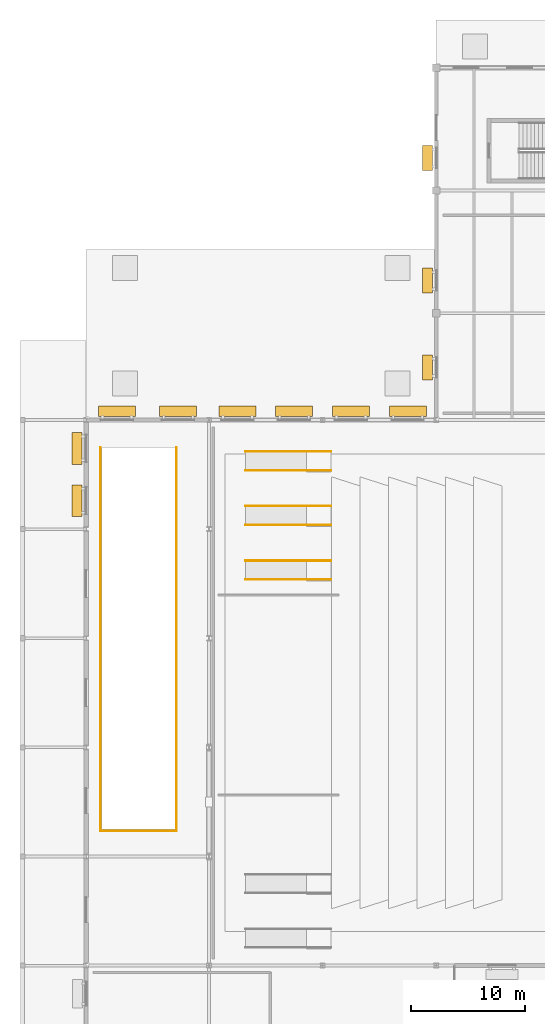
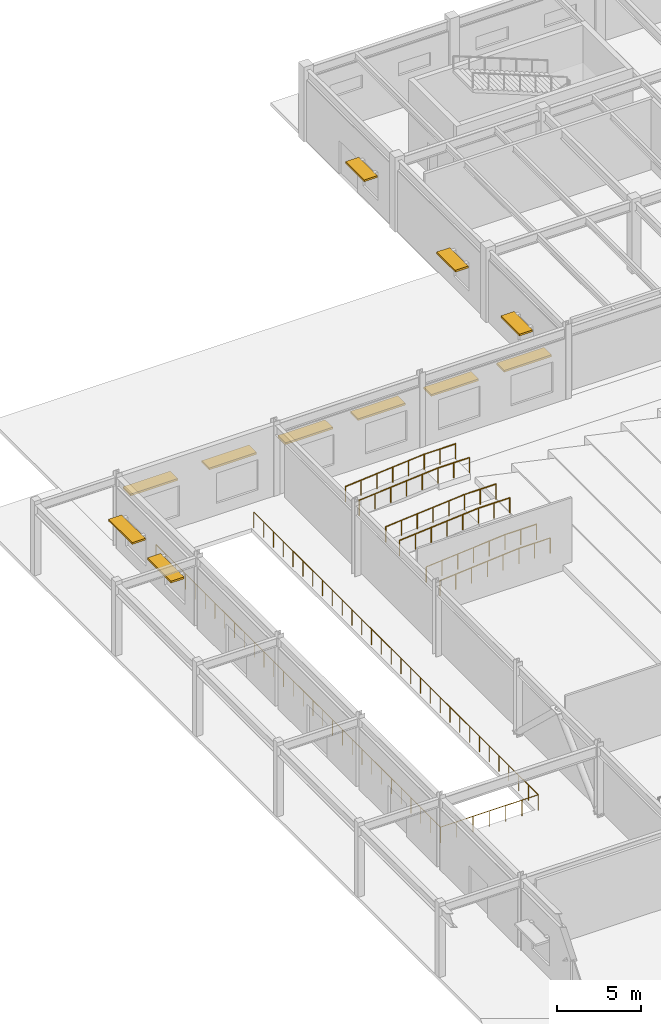
# One storey, part 47 of 54: 11 shading devices, 8 railings.
"""IFC4 building model written with IfcOpenShell, lengths in metres."""

from ifc_helpers import new_model, si_unit, direction, frame, origin, origin_2d, place, context, subcontext, project, spatial, rectangle, circle, extrude, material, type_object, element, save


model = new_model("IFC4")

# Units and contexts
model_context = context("Model", 3, precision=1e-05, world=origin(), true_north=direction((0.0, 1.0)))
body_context = subcontext(model_context, "Body", "Model", "MODEL_VIEW")
ifc_project = project(units=[si_unit("LENGTHUNIT", "METRE"), si_unit("AREAUNIT", "SQUARE_METRE"), si_unit("VOLUMEUNIT", "CUBIC_METRE"), si_unit("PLANEANGLEUNIT", "RADIAN"), si_unit("MASSUNIT", "GRAM", prefix="KILO")], contexts=[model_context])

# Site, building, storey
site_placement = place(None, origin())
site = spatial("IfcSite", under=ifc_project, at=site_placement, CompositionType="ELEMENT")
building_placement = place(site_placement, origin())
building = spatial("IfcBuilding", under=site, at=building_placement, Name="Veldera Park Congress Hotel", CompositionType="ELEMENT")
storey_placement = place(building_placement, origin())
storey = spatial("IfcBuildingStorey", under=building, at=storey_placement, Name="L00", CompositionType="ELEMENT", Elevation=0.0)

# Railings
ifc_material_1 = material(Name="Steel ASTM A992 Gr.50", Category="steel")
railing_type_1 = type_object("IfcRailingType", Name="GRD-EXT115", PredefinedType="GUARDRAIL", material=ifc_material_1)
railing_1_placement = place(storey_placement, frame((-76.949951171875, 24.60009765625, 0.0)))
element("IfcRailing", 1, at=railing_1_placement, inside=storey, type_object=railing_type_1, Name="Vehicle Ramp Well West Guard", PredefinedType="GUARDRAIL", context=body_context, shape_type="SweptSolid", body=[
    extrude(circle(Radius=0.02392578125, at=origin_2d()), frame((0.0, 0.0, 1.1259765625), z_axis=(0.0, -1.0, 0.0), x_axis=(1.0, 0.0, 0.0)), (0.0, 0.0, 1.0), 33.75),
    extrude(circle(Radius=0.02099609375, at=origin_2d()), origin(), (0.0, 0.0, 1.0), 1.101806640625),
    extrude(circle(Radius=0.02099609375, at=origin_2d()), frame((0.0, -1.163818359375, 0.0)), (0.0, 0.0, 1.0), 1.101806640625),
    extrude(circle(Radius=0.02099609375, at=origin_2d()), frame((0.0, -2.32763671875, 0.0)), (0.0, 0.0, 1.0), 1.101806640625),
    extrude(circle(Radius=0.02099609375, at=origin_2d()), frame((0.0, -3.491455078125, 0.0)), (0.0, 0.0, 1.0), 1.101806640625),
    extrude(circle(Radius=0.02099609375, at=origin_2d()), frame((0.0, -4.6552734375, 0.0)), (0.0, 0.0, 1.0), 1.101806640625),
    extrude(circle(Radius=0.02099609375, at=origin_2d()), frame((0.0, -5.81884765625, 0.0)), (0.0, 0.0, 1.0), 1.101806640625),
    extrude(circle(Radius=0.02099609375, at=origin_2d()), frame((0.0, -6.982666015625, 0.0)), (0.0, 0.0, 1.0), 1.101806640625),
    extrude(circle(Radius=0.02099609375, at=origin_2d()), frame((0.0, -8.146484375, 0.0)), (0.0, 0.0, 1.0), 1.101806640625),
    extrude(circle(Radius=0.02099609375, at=origin_2d()), frame((0.0, -9.310302734375, 0.0)), (0.0, 0.0, 1.0), 1.101806640625),
    extrude(circle(Radius=0.02099609375, at=origin_2d()), frame((0.0, -10.47412109375, 0.0)), (0.0, 0.0, 1.0), 1.101806640625),
    extrude(circle(Radius=0.02099609375, at=origin_2d()), frame((0.0, -11.637939453125, 0.0)), (0.0, 0.0, 1.0), 1.101806640625),
    extrude(circle(Radius=0.02099609375, at=origin_2d()), frame((0.0, -12.8017578125, 0.0)), (0.0, 0.0, 1.0), 1.101806640625),
    extrude(circle(Radius=0.02099609375, at=origin_2d()), frame((0.0, -13.965576171875, 0.0)), (0.0, 0.0, 1.0), 1.101806640625),
    extrude(circle(Radius=0.02099609375, at=origin_2d()), frame((0.0, -15.12939453125, 0.0)), (0.0, 0.0, 1.0), 1.101806640625),
    extrude(circle(Radius=0.02099609375, at=origin_2d()), frame((0.0, -16.293212890625, 0.0)), (0.0, 0.0, 1.0), 1.101806640625),
    extrude(circle(Radius=0.02099609375, at=origin_2d()), frame((0.0, -17.456787109375, 0.0)), (0.0, 0.0, 1.0), 1.101806640625),
    extrude(circle(Radius=0.02099609375, at=origin_2d()), frame((0.0, -18.62060546875, 0.0)), (0.0, 0.0, 1.0), 1.101806640625),
    extrude(circle(Radius=0.02099609375, at=origin_2d()), frame((0.0, -19.784423828125, 0.0)), (0.0, 0.0, 1.0), 1.101806640625),
    extrude(circle(Radius=0.02099609375, at=origin_2d()), frame((0.0, -20.9482421875, 0.0)), (0.0, 0.0, 1.0), 1.101806640625),
    extrude(circle(Radius=0.02099609375, at=origin_2d()), frame((0.0, -22.112060546875, 0.0)), (0.0, 0.0, 1.0), 1.101806640625),
    extrude(circle(Radius=0.02099609375, at=origin_2d()), frame((0.0, -23.27587890625, 0.0)), (0.0, 0.0, 1.0), 1.101806640625),
    extrude(circle(Radius=0.02099609375, at=origin_2d()), frame((0.0, -24.439697265625, 0.0)), (0.0, 0.0, 1.0), 1.101806640625),
    extrude(circle(Radius=0.02099609375, at=origin_2d()), frame((0.0, -25.603515625, 0.0)), (0.0, 0.0, 1.0), 1.101806640625),
    extrude(circle(Radius=0.02099609375, at=origin_2d()), frame((0.0, -26.767333984375, 0.0)), (0.0, 0.0, 1.0), 1.101806640625),
    extrude(circle(Radius=0.02099609375, at=origin_2d()), frame((0.0, -27.93115234375, 0.0)), (0.0, 0.0, 1.0), 1.101806640625),
    extrude(circle(Radius=0.02099609375, at=origin_2d()), frame((0.0, -29.0947265625, 0.0)), (0.0, 0.0, 1.0), 1.101806640625),
    extrude(circle(Radius=0.02099609375, at=origin_2d()), frame((0.0, -30.258544921875, 0.0)), (0.0, 0.0, 1.0), 1.101806640625),
    extrude(circle(Radius=0.02099609375, at=origin_2d()), frame((0.0, -31.42236328125, 0.0)), (0.0, 0.0, 1.0), 1.101806640625),
    extrude(circle(Radius=0.02099609375, at=origin_2d()), frame((0.0, -32.586181640625, 0.0)), (0.0, 0.0, 1.0), 1.101806640625),
    extrude(circle(Radius=0.02099609375, at=origin_2d()), frame((0.0, -33.75, 0.0)), (0.0, 0.0, 1.0), 1.101806640625),
])
railing_2_placement = place(storey_placement, frame((-76.949951171875, -9.14990234375, 0.0)))
element("IfcRailing", 2, at=railing_2_placement, inside=storey, type_object=railing_type_1, Name="Vehicle Ramp Well South and East Guard", PredefinedType="GUARDRAIL", context=body_context, shape_type="SweptSolid", body=[
    extrude(circle(Radius=0.02392578125, at=origin_2d()), frame((0.0, 0.0, 1.1259765625), z_axis=(1.0, 0.0, 0.0), x_axis=(0.0, 1.0, 0.0)), (0.0, 0.0, 1.0), 6.699951171875),
    extrude(circle(Radius=0.02392578125, at=origin_2d()), frame((6.699951171875, 0.0, 1.1259765625), z_axis=(0.0, 1.0, 0.0), x_axis=(-1.0, 0.0, 0.0)), (0.0, 0.0, 1.0), 33.75),
    extrude(circle(Radius=0.02099609375, at=origin_2d()), origin(), (0.0, 0.0, 1.0), 1.101806640625),
    extrude(circle(Radius=0.02099609375, at=origin_2d()), frame((1.11669921875, 0.0, 0.0)), (0.0, 0.0, 1.0), 1.101806640625),
    extrude(circle(Radius=0.02099609375, at=origin_2d()), frame((2.2333984375, 0.0, 0.0)), (0.0, 0.0, 1.0), 1.101806640625),
    extrude(circle(Radius=0.02099609375, at=origin_2d()), frame((3.35009765625, 0.0, 0.0)), (0.0, 0.0, 1.0), 1.101806640625),
    extrude(circle(Radius=0.02099609375, at=origin_2d()), frame((4.466552734375, 0.0, 0.0)), (0.0, 0.0, 1.0), 1.101806640625),
    extrude(circle(Radius=0.02099609375, at=origin_2d()), frame((5.583251953125, 0.0, 0.0)), (0.0, 0.0, 1.0), 1.101806640625),
    extrude(circle(Radius=0.02099609375, at=origin_2d()), frame((6.699951171875, 0.0, 0.0)), (0.0, 0.0, 1.0), 1.101806640625),
    extrude(circle(Radius=0.02099609375, at=origin_2d()), frame((6.699951171875, 1.163818359375, 0.0)), (0.0, 0.0, 1.0), 1.101806640625),
    extrude(circle(Radius=0.02099609375, at=origin_2d()), frame((6.699951171875, 2.32763671875, 0.0)), (0.0, 0.0, 1.0), 1.101806640625),
    extrude(circle(Radius=0.02099609375, at=origin_2d()), frame((6.699951171875, 3.491455078125, 0.0)), (0.0, 0.0, 1.0), 1.101806640625),
    extrude(circle(Radius=0.02099609375, at=origin_2d()), frame((6.699951171875, 4.6552734375, 0.0)), (0.0, 0.0, 1.0), 1.101806640625),
    extrude(circle(Radius=0.02099609375, at=origin_2d()), frame((6.699951171875, 5.81884765625, 0.0)), (0.0, 0.0, 1.0), 1.101806640625),
    extrude(circle(Radius=0.02099609375, at=origin_2d()), frame((6.699951171875, 6.982666015625, 0.0)), (0.0, 0.0, 1.0), 1.101806640625),
    extrude(circle(Radius=0.02099609375, at=origin_2d()), frame((6.699951171875, 8.146484375, 0.0)), (0.0, 0.0, 1.0), 1.101806640625),
    extrude(circle(Radius=0.02099609375, at=origin_2d()), frame((6.699951171875, 9.310302734375, 0.0)), (0.0, 0.0, 1.0), 1.101806640625),
    extrude(circle(Radius=0.02099609375, at=origin_2d()), frame((6.699951171875, 10.47412109375, 0.0)), (0.0, 0.0, 1.0), 1.101806640625),
    extrude(circle(Radius=0.02099609375, at=origin_2d()), frame((6.699951171875, 11.637939453125, 0.0)), (0.0, 0.0, 1.0), 1.101806640625),
    extrude(circle(Radius=0.02099609375, at=origin_2d()), frame((6.699951171875, 12.8017578125, 0.0)), (0.0, 0.0, 1.0), 1.101806640625),
    extrude(circle(Radius=0.02099609375, at=origin_2d()), frame((6.699951171875, 13.965576171875, 0.0)), (0.0, 0.0, 1.0), 1.101806640625),
    extrude(circle(Radius=0.02099609375, at=origin_2d()), frame((6.699951171875, 15.12939453125, 0.0)), (0.0, 0.0, 1.0), 1.101806640625),
    extrude(circle(Radius=0.02099609375, at=origin_2d()), frame((6.699951171875, 16.293212890625, 0.0)), (0.0, 0.0, 1.0), 1.101806640625),
    extrude(circle(Radius=0.02099609375, at=origin_2d()), frame((6.699951171875, 17.456787109375, 0.0)), (0.0, 0.0, 1.0), 1.101806640625),
    extrude(circle(Radius=0.02099609375, at=origin_2d()), frame((6.699951171875, 18.62060546875, 0.0)), (0.0, 0.0, 1.0), 1.101806640625),
    extrude(circle(Radius=0.02099609375, at=origin_2d()), frame((6.699951171875, 19.784423828125, 0.0)), (0.0, 0.0, 1.0), 1.101806640625),
    extrude(circle(Radius=0.02099609375, at=origin_2d()), frame((6.699951171875, 20.9482421875, 0.0)), (0.0, 0.0, 1.0), 1.101806640625),
    extrude(circle(Radius=0.02099609375, at=origin_2d()), frame((6.699951171875, 22.112060546875, 0.0)), (0.0, 0.0, 1.0), 1.101806640625),
    extrude(circle(Radius=0.02099609375, at=origin_2d()), frame((6.699951171875, 23.27587890625, 0.0)), (0.0, 0.0, 1.0), 1.101806640625),
    extrude(circle(Radius=0.02099609375, at=origin_2d()), frame((6.699951171875, 24.439697265625, 0.0)), (0.0, 0.0, 1.0), 1.101806640625),
    extrude(circle(Radius=0.02099609375, at=origin_2d()), frame((6.699951171875, 25.603515625, 0.0)), (0.0, 0.0, 1.0), 1.101806640625),
    extrude(circle(Radius=0.02099609375, at=origin_2d()), frame((6.699951171875, 26.767333984375, 0.0)), (0.0, 0.0, 1.0), 1.101806640625),
    extrude(circle(Radius=0.02099609375, at=origin_2d()), frame((6.699951171875, 27.93115234375, 0.0)), (0.0, 0.0, 1.0), 1.101806640625),
    extrude(circle(Radius=0.02099609375, at=origin_2d()), frame((6.699951171875, 29.0947265625, 0.0)), (0.0, 0.0, 1.0), 1.101806640625),
    extrude(circle(Radius=0.02099609375, at=origin_2d()), frame((6.699951171875, 30.258544921875, 0.0)), (0.0, 0.0, 1.0), 1.101806640625),
    extrude(circle(Radius=0.02099609375, at=origin_2d()), frame((6.699951171875, 31.42236328125, 0.0)), (0.0, 0.0, 1.0), 1.101806640625),
    extrude(circle(Radius=0.02099609375, at=origin_2d()), frame((6.699951171875, 32.586181640625, 0.0)), (0.0, 0.0, 1.0), 1.101806640625),
    extrude(circle(Radius=0.02099609375, at=origin_2d()), frame((6.699951171875, 33.75, 0.0)), (0.0, 0.0, 1.0), 1.101806640625),
])
railing_type_2 = type_object("IfcRailingType", Name="GRD-INT112", PredefinedType="GUARDRAIL", material=ifc_material_1)
for number, where, name in (
    (3, (-64.199951171875, 12.97998046875, 0.0), "Accessible Ramp Guard 3-S"),
    (4, (-64.199951171875, 14.6201171875, 0.0), "Accessible Ramp Guard 3-N"),
    (5, (-64.199951171875, 17.780029296875, 0.0), "Accessible Ramp Guard 4-S"),
    (6, (-64.199951171875, 19.419921875, 0.0), "Accessible Ramp Guard 4-N"),
    (7, (-64.199951171875, 22.580078125, 0.0), "Accessible Ramp Guard 5-S"),
    (8, (-64.199951171875, 24.219970703125, 0.0), "Accessible Ramp Guard 5-N"),
):
    element("IfcRailing", number, at=place(storey_placement, frame(where)), inside=storey, type_object=railing_type_2, Name=name, PredefinedType="GUARDRAIL", context=body_context, shape_type="SweptSolid", body=[
        extrude(circle(Radius=0.02392578125, at=origin_2d()), frame((0.0, 0.0, 1.09619140625), z_axis=(0.996546379678, 0.0, 0.083038022323), x_axis=(0.0, 1.0, 0.0)), (0.0, 0.0, 1.0), 5.418701171875),
        extrude(circle(Radius=0.02392578125, at=origin_2d()), frame((5.39990234375, 0.0, 1.5458984375), z_axis=(1.0, 0.0, 0.0), x_axis=(0.0, 1.0, 0.0)), (0.0, 0.0, 1.0), 2.150146484375),
        extrude(circle(Radius=0.02099609375, at=origin_2d()), origin(), (0.0, 0.0, 1.0), 1.072021484375),
        extrude(circle(Radius=0.02099609375, at=origin_2d()), frame((1.080078125, 0.0, 0.090087890625)), (0.0, 0.0, 1.0), 1.072021484375),
        extrude(circle(Radius=0.02099609375, at=origin_2d()), frame((2.159912109375, 0.0, 0.179931640625)), (0.0, 0.0, 1.0), 1.072021484375),
        extrude(circle(Radius=0.02099609375, at=origin_2d()), frame((3.239990234375, 0.0, 0.27001953125)), (0.0, 0.0, 1.0), 1.072021484375),
        extrude(circle(Radius=0.02099609375, at=origin_2d()), frame((4.31982421875, 0.0, 0.35986328125)), (0.0, 0.0, 1.0), 1.072021484375),
        extrude(circle(Radius=0.02099609375, at=origin_2d()), frame((5.39990234375, 0.0, 0.449951171875)), (0.0, 0.0, 1.0), 1.072021484375),
        extrude(circle(Radius=0.02099609375, at=origin_2d()), frame((6.47509765625, 0.0, 0.449951171875)), (0.0, 0.0, 1.0), 1.072021484375),
        extrude(circle(Radius=0.02099609375, at=origin_2d()), frame((7.550048828125, 0.0, 0.449951171875)), (0.0, 0.0, 1.0), 1.072021484375),
    ])

# Shading devices
ifc_material_2 = material(Name="Glulam GL28h (NDS 24F-V4)", Category="wood")
shading_device_type = type_object("IfcShadingDeviceType", Name="SHD-SHF450", PredefinedType="AWNING", material=ifc_material_2)
for number, where, z_axis, x_axis, name in (
    (9, (-79.0, 24.505859375, 2.91015625), (0.0, 0.0, 1.0), (0.0, -1.0, 0.0), "Glulam Solar Shade 1"),
    (10, (-79.0, 19.894287109375, 2.91015625), (0.0, 0.0, 1.0), (0.0, -1.0, 0.0), "Glulam Solar Shade 2"),
):
    element("IfcShadingDevice", number, at=place(storey_placement, frame(where, z_axis=z_axis, x_axis=x_axis)), inside=storey, type_object=shading_device_type, Name=name, PredefinedType="AWNING", context=body_context, shape_type="SweptSolid", body=[
        extrude(rectangle(XDim=2.800048828125, YDim=0.89990234375, at=origin_2d()), origin(), (0.0, 0.0, 1.0), 0.139892578125),
    ])
for number, where, z_axis, x_axis, name in (
    (11, (-49.904296875, 27.780029296875, 3.0400390625), (0.0, 0.0, 1.0), (-1.0, 0.0, 0.0), "Glulam Solar Shade 6"),
    (12, (-54.895751953125, 27.780029296875, 3.0400390625), (0.0, 0.0, 1.0), (-1.0, 0.0, 0.0), "Glulam Solar Shade 7"),
    (13, (-59.9033203125, 27.780029296875, 3.0400390625), (0.0, 0.0, 1.0), (-1.0, 0.0, 0.0), "Glulam Solar Shade 8"),
    (14, (-64.892578125, 27.780029296875, 3.0400390625), (0.0, 0.0, 1.0), (-1.0, 0.0, 0.0), "Glulam Solar Shade 9"),
    (15, (-70.10791015625, 27.780029296875, 3.0400390625), (0.0, 0.0, 1.0), (-1.0, 0.0, 0.0), "Glulam Solar Shade 10"),
    (16, (-75.49755859375, 27.780029296875, 3.0400390625), (0.0, 0.0, 1.0), (-1.0, 0.0, 0.0), "Glulam Solar Shade 11"),
):
    element("IfcShadingDevice", number, at=place(storey_placement, frame(where, z_axis=z_axis, x_axis=x_axis)), inside=storey, type_object=shading_device_type, Name=name, PredefinedType="AWNING", context=body_context, shape_type="SweptSolid", body=[
        extrude(rectangle(XDim=3.25, YDim=0.89990234375, at=origin_2d()), origin(), (0.0, 0.0, 1.0), 0.139892578125),
    ])
for number, where, z_axis, x_axis, name in (
    (17, (-48.169921875, 50.0615234375, 2.7099609375), (0.0, 0.0, 1.0), (0.0, -1.0, 0.0), "Glulam Solar Shade 12"),
    (18, (-48.169921875, 39.261474609375, 2.7099609375), (0.0, 0.0, 1.0), (0.0, -1.0, 0.0), "Glulam Solar Shade 13"),
    (19, (-48.169921875, 31.63427734375, 2.7099609375), (0.0, 0.0, 1.0), (0.0, -1.0, 0.0), "Glulam Solar Shade 14"),
):
    element("IfcShadingDevice", number, at=place(storey_placement, frame(where, z_axis=z_axis, x_axis=x_axis)), inside=storey, type_object=shading_device_type, Name=name, PredefinedType="AWNING", context=body_context, shape_type="SweptSolid", body=[
        extrude(rectangle(XDim=2.199951171875, YDim=0.89990234375, at=origin_2d()), origin(), (0.0, 0.0, 1.0), 0.139892578125),
    ])

save(model, "model.ifc")
